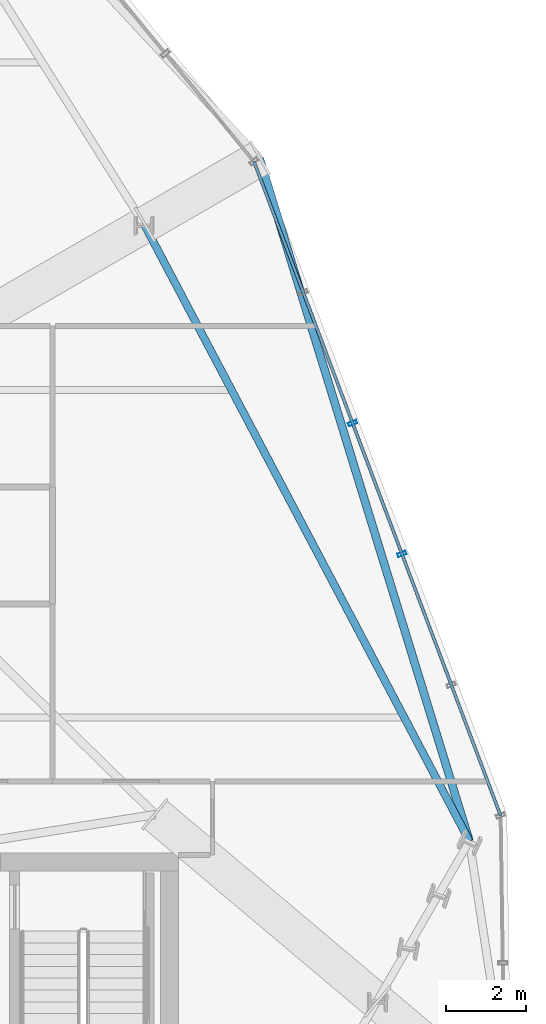
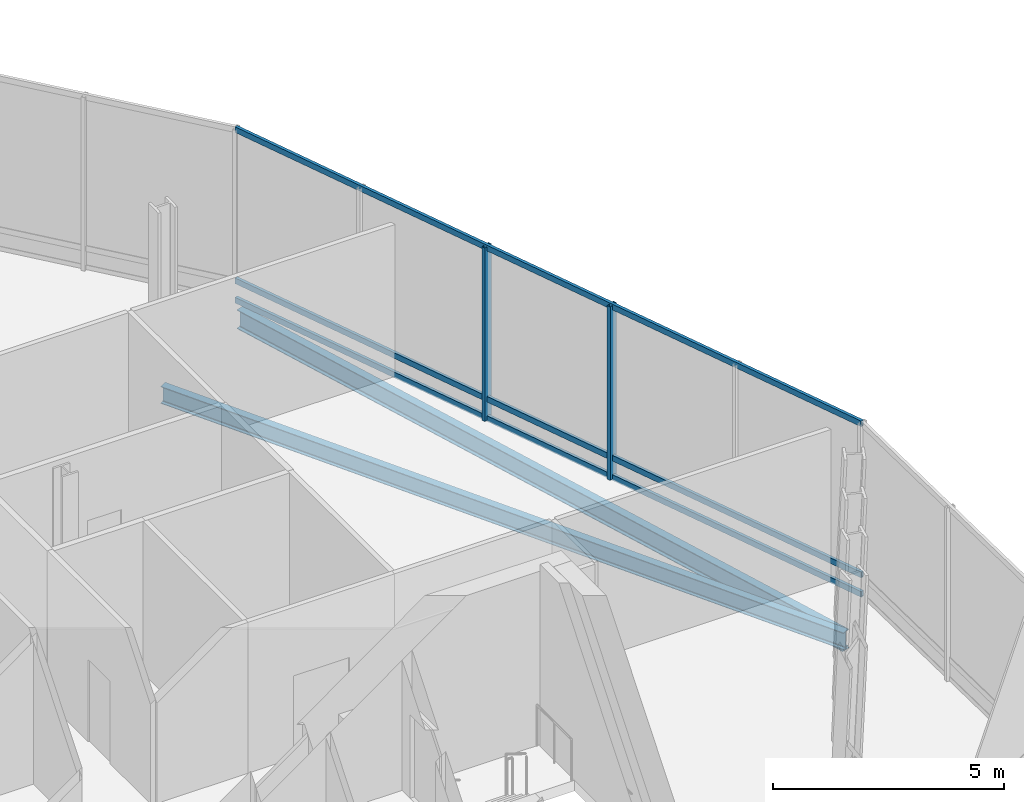
# One storey, part 13 of 26: 5 members, 2 beams, 1 element without a shape of its own.
"""IFC4 building model written with IfcOpenShell, lengths in metres."""

from ifc_helpers import new_model, si_unit, direction, frame, origin, origin_2d, place, context, subcontext, project, spatial, hollow_rectangle, i_section, extrude, material, layer, layer_set, material_profile, profile_set, type_object, element, aggregate, save


model = new_model("IFC4")

# Units and contexts
model_context = context("Model", 3, precision=1e-05, world=origin(), true_north=direction((0.0, 1.0)))
body_context = subcontext(model_context, "Body", "Model", "MODEL_VIEW")
ifc_project = project(units=[si_unit("LENGTHUNIT", "METRE"), si_unit("AREAUNIT", "SQUARE_METRE"), si_unit("VOLUMEUNIT", "CUBIC_METRE"), si_unit("PLANEANGLEUNIT", "RADIAN"), si_unit("MASSUNIT", "GRAM", prefix="KILO")], contexts=[model_context])

# Site, building, storey
site_placement = place(None, origin())
site = spatial("IfcSite", under=ifc_project, at=site_placement, CompositionType="ELEMENT")
building_placement = place(site_placement, origin())
building = spatial("IfcBuilding", under=site, at=building_placement, Name="Ndaravel Arena Tower", CompositionType="ELEMENT")
storey_placement = place(building_placement, frame((0.0, 0.0, 122.199951171875)))
storey = spatial("IfcBuildingStorey", under=building, at=storey_placement, Name="L28", CompositionType="ELEMENT", Elevation=122.199951171875)

# Beams
ifc_material_1 = material(Name="Steel S355", Category="steel")
ifc_material_profile_1 = material_profile(ifc_material_1, i_section(OverallWidth=0.18994140625, OverallDepth=0.449951171875, WebThickness=0.009521484375, FlangeThickness=0.0146484375, FilletRadius=0.02099609375, at=origin_2d()), Name="IPE 450")
ifc_profile_set_1 = profile_set([ifc_material_profile_1], Name="Steel S355")
beam_type_1 = type_object("IfcBeamType", Name="BM-SPAN-IPE450", PredefinedType="SPANDREL", material=ifc_profile_set_1)
beam_1_placement = place(storey_placement, frame((64.83740234375, 15.50439453125, -0.5048828125), z_axis=(-0.466468281773, 0.884537925756, 0.0), x_axis=(-0.884537925756, -0.466468281773, 0.0)))
element("IfcBeam", 1, at=beam_1_placement, inside=storey, type_object=beam_type_1, Name="L28 Perimeter Spandrel Beam SP-09", PredefinedType="SPANDREL", context=body_context, shape_type="SweptSolid", body=[
    extrude(i_section(OverallWidth=0.18994140625, OverallDepth=0.449951171875, WebThickness=0.009521484375, FlangeThickness=0.0146484375, FilletRadius=0.02099609375, at=origin_2d()), origin(), (0.0, 0.0, 1.0), 17.448486328125),
])
ifc_material_2 = material(Name="Steel S355", Category="steel")
ifc_material_profile_2 = material_profile(ifc_material_2, i_section(OverallWidth=0.199951171875, OverallDepth=0.5, WebThickness=0.01025390625, FlangeThickness=0.01611328125, FilletRadius=0.02099609375, at=origin_2d()), Name="IPE 500")
ifc_profile_set_2 = profile_set([ifc_material_profile_2], Name="Steel S355")
beam_type_2 = type_object("IfcBeamType", Name="BM-SPAN-IPE500", PredefinedType="SPANDREL", material=ifc_profile_set_2)
beam_2_placement = place(storey_placement, frame((64.83740234375, 15.50439453125, -0.530029296875), z_axis=(-0.293776057664, 0.95587427413, 0.0), x_axis=(-0.95587427413, -0.293776057664, 0.0)))
element("IfcBeam", 2, at=beam_2_placement, inside=storey, type_object=beam_type_2, Name="L28 Star Facet Edge Beam SEA-4", PredefinedType="SPANDREL", context=body_context, shape_type="SweptSolid", body=[
    extrude(i_section(OverallWidth=0.199951171875, OverallDepth=0.5, WebThickness=0.01025390625, FlangeThickness=0.01611328125, FilletRadius=0.02099609375, at=origin_2d()), origin(), (0.0, 0.0, 1.0), 17.88818359375),
])

# Curtain wall, members
ifc_material_3 = material(Name="Aluminium", Category="aluminium")
ifc_layer = layer(ifc_material_3, 0.179931640625)
ifc_layer_set = layer_set([ifc_layer], Name="Aluminium")
curtain_wall_type = type_object("IfcCurtainWallType", Name="CW-SYS-04", PredefinedType="NOTDEFINED", material=ifc_layer_set)
curtain_wall_placement = place(storey_placement, origin())
curtain_wall = element("IfcCurtainWall", 3, at=curtain_wall_placement, inside=storey, type_object=curtain_wall_type, Name="L28 Faceted Crystal Curtain Wall CW-L28-E06", PredefinedType="NOTDEFINED")
ifc_material_4 = material(Name="Aluminium", Category="aluminium")
ifc_material_profile_3 = material_profile(ifc_material_4, hollow_rectangle(XDim=0.090087890625, YDim=0.219970703125, WallThickness=0.0048828125, at=origin_2d()), Name="CW MULLION 90x220x5")
ifc_profile_set_3 = profile_set([ifc_material_profile_3], Name="Aluminium")
member_type_1 = type_object("IfcMemberType", Name="MEM-CW-MUL220", PredefinedType="MULLION", material=ifc_profile_set_3)
member_1_placement = place(storey_placement, frame((63.1474609375, 22.6943359375, 0.0), z_axis=(0.0, 0.0, 1.0), x_axis=(-0.352805363625, 0.935696732599, 0.0)))
member_1 = element("IfcMember", 4, at=member_1_placement, type_object=member_type_1, Name="CW-L28-E06 Mullion 02", PredefinedType="MULLION", context=body_context, shape_type="SweptSolid", body=[
    extrude(hollow_rectangle(XDim=0.090087890625, YDim=0.219970703125, WallThickness=0.0048828125, at=origin_2d()), origin(), (0.0, 0.0, 1.0), 4.580078125),
])
member_2_placement = place(storey_placement, frame((61.912353515625, 25.97021484375, 0.0), z_axis=(0.0, 0.0, 1.0), x_axis=(-0.352805363625, 0.935696732599, 0.0)))
member_2 = element("IfcMember", 5, at=member_2_placement, type_object=member_type_1, Name="CW-L28-E06 Mullion 03", PredefinedType="MULLION", context=body_context, shape_type="SweptSolid", body=[
    extrude(hollow_rectangle(XDim=0.090087890625, YDim=0.219970703125, WallThickness=0.0048828125, at=origin_2d()), origin(), (0.0, 0.0, 1.0), 4.580078125),
])
ifc_material_5 = material(Name="Aluminium", Category="aluminium")
ifc_material_profile_4 = material_profile(ifc_material_5, hollow_rectangle(XDim=0.074951171875, YDim=0.14990234375, WallThickness=0.00390625, at=origin_2d()), Name="CW TRANSOM 75x150x4")
ifc_profile_set_4 = profile_set([ifc_material_profile_4], Name="Aluminium")
member_type_2 = type_object("IfcMemberType", Name="MEM-CW-TRN150", PredefinedType="USERDEFINED", material=ifc_profile_set_4)
member_3_placement = place(storey_placement, frame((65.617919921875, 16.142333984375, 0.0400390625), z_axis=(-0.352804095043, 0.935697210919, 0.0), x_axis=(-0.935697210919, -0.352804095043, 0.0)))
member_3 = element("IfcMember", 6, at=member_3_placement, type_object=member_type_2, Name="CW-L28-E06 Transom 01", ObjectType="TRANSOM", PredefinedType="USERDEFINED", context=body_context, shape_type="SweptSolid", body=[
    extrude(hollow_rectangle(XDim=0.074951171875, YDim=0.14990234375, WallThickness=0.00390625, at=origin_2d()), origin(), (0.0, 0.0, 1.0), 17.505615234375),
])
member_4_placement = place(storey_placement, frame((65.617919921875, 16.142333984375, 0.550048828125), z_axis=(-0.352804095043, 0.935697210919, 0.0), x_axis=(-0.935697210919, -0.352804095043, 0.0)))
member_4 = element("IfcMember", 7, at=member_4_placement, type_object=member_type_2, Name="CW-L28-E06 Transom 02", ObjectType="TRANSOM", PredefinedType="USERDEFINED", context=body_context, shape_type="SweptSolid", body=[
    extrude(hollow_rectangle(XDim=0.074951171875, YDim=0.14990234375, WallThickness=0.00390625, at=origin_2d()), origin(), (0.0, 0.0, 1.0), 17.505615234375),
])
member_5_placement = place(storey_placement, frame((65.617919921875, 16.142333984375, 4.5400390625), z_axis=(-0.352804095043, 0.935697210919, 0.0), x_axis=(-0.935697210919, -0.352804095043, 0.0)))
member_5 = element("IfcMember", 8, at=member_5_placement, type_object=member_type_2, Name="CW-L28-E06 Transom 03", ObjectType="TRANSOM", PredefinedType="USERDEFINED", context=body_context, shape_type="SweptSolid", body=[
    extrude(hollow_rectangle(XDim=0.074951171875, YDim=0.14990234375, WallThickness=0.00390625, at=origin_2d()), origin(), (0.0, 0.0, 1.0), 17.505615234375),
])
aggregate(curtain_wall, [member_1, member_2, member_3, member_4, member_5])

save(model, "model.ifc")
